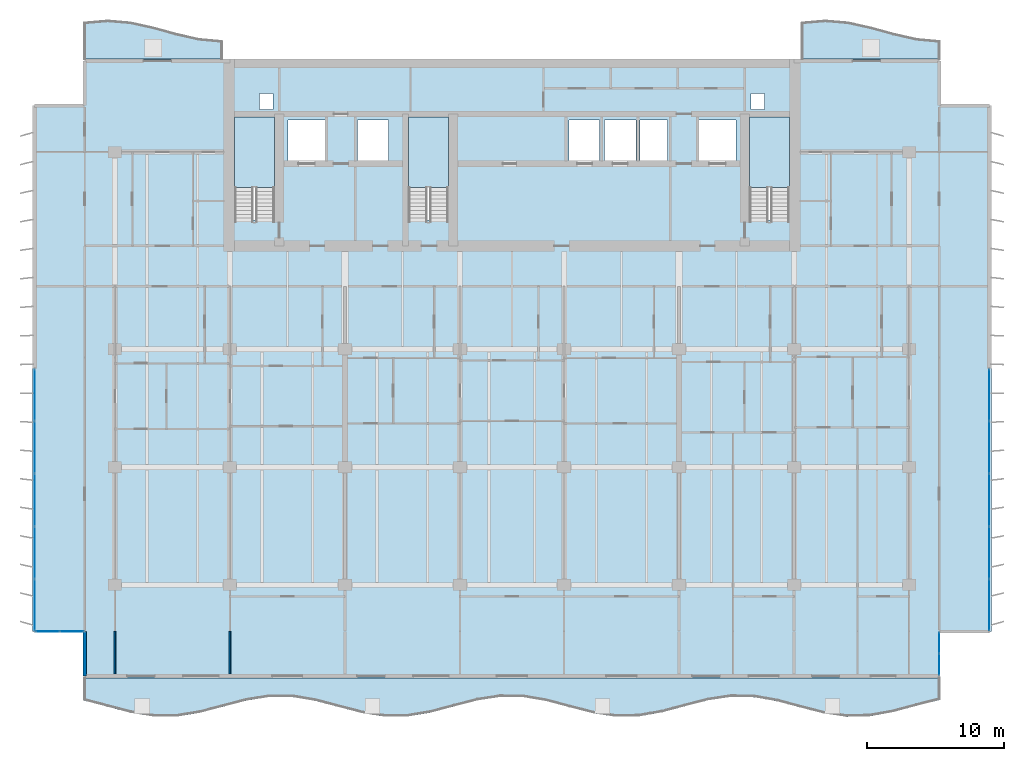
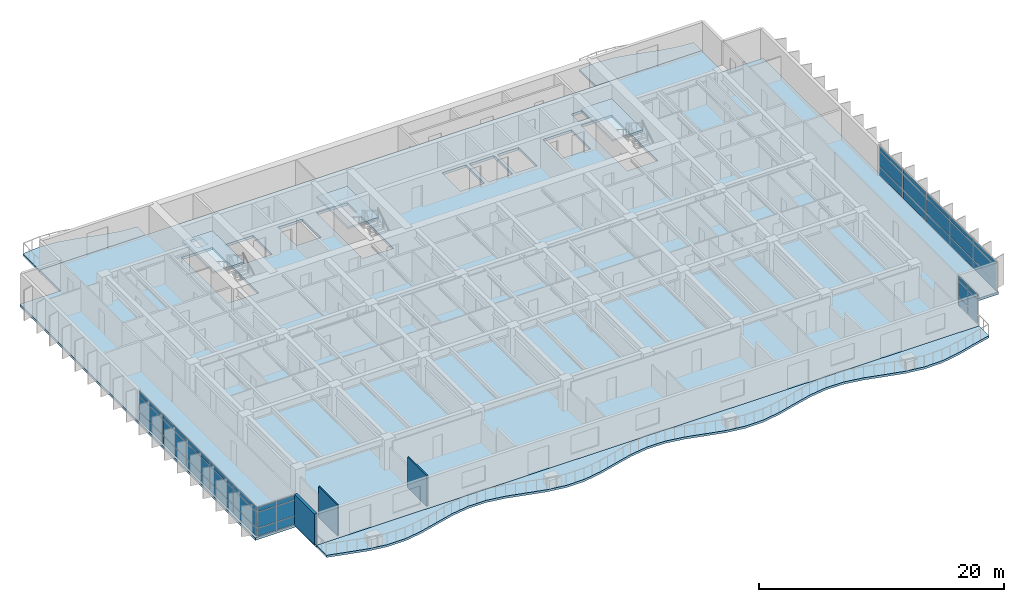
# One storey, part 5 of 15: 42 plates, 7 slabs, 3 walls, 7 elements without a shape of their own.
"""IFC4 building model written with IfcOpenShell, lengths in metres."""

from ifc_helpers import new_model, si_unit, direction, frame, frame_2d, origin, origin_2d, place, context, subcontext, project, spatial, polyline, rectangle, outline, extrude, material, layer, layer_set, type_object, element, aggregate, save


model = new_model("IFC4")

# Units and contexts
model_context = context("Model", 3, precision=1e-05, world=origin(), true_north=direction((0.0, 1.0)))
body_context = subcontext(model_context, "Body", "Model", "MODEL_VIEW")
ifc_project = project(units=[si_unit("LENGTHUNIT", "METRE"), si_unit("AREAUNIT", "SQUARE_METRE"), si_unit("VOLUMEUNIT", "CUBIC_METRE"), si_unit("PLANEANGLEUNIT", "RADIAN"), si_unit("MASSUNIT", "GRAM", prefix="KILO")], contexts=[model_context])

# Site, building, storey
site_placement = place(None, origin())
site = spatial("IfcSite", under=ifc_project, at=site_placement, CompositionType="ELEMENT")
building_placement = place(site_placement, origin())
building = spatial("IfcBuilding", under=site, at=building_placement, Name="Caelmar Bay Residences", CompositionType="ELEMENT")
storey_placement = place(building_placement, frame((0.0, 0.0, 138.89990234375)))
storey = spatial("IfcBuildingStorey", under=building, at=storey_placement, Name="L38", CompositionType="ELEMENT", Elevation=138.89990234375)

# Curtain wall, plates
ifc_material_1 = material(Name="Anodised bronze aluminium 6063-T6 and laminated glass", Category="aluminium")
ifc_layer_1 = layer(ifc_material_1, 0.179931640625)
ifc_layer_set_1 = layer_set([ifc_layer_1], Name="Anodised bronze aluminium 6063-T6 and laminated glass")
curtain_wall_type_1 = type_object("IfcCurtainWallType", Name="CW6-NTC", PredefinedType="NOTDEFINED", material=ifc_layer_set_1)
curtain_wall_1_placement = place(storey_placement, origin())
curtain_wall_1 = element("IfcCurtainWall", 1, at=curtain_wall_1_placement, inside=storey, type_object=curtain_wall_type_1, Name="CW6 curtain wall L38", PredefinedType="NOTDEFINED")
ifc_material_2 = material(Name="Bronze-tinted laminated low-E hurricane glass 28 mm", Category="glass")
ifc_layer_2 = layer(ifc_material_2, 0.028076171875)
ifc_layer_set_2 = layer_set([ifc_layer_2], Name="Bronze-tinted laminated low-E hurricane glass 28 mm")
plate_type = type_object("IfcPlateType", Name="CWP-GLZ28", PredefinedType="CURTAIN_PANEL", material=ifc_layer_set_2)
plate_1_placement = place(storey_placement, frame((4.982421875, 8.800048828125, 0.080078125), z_axis=(0.0, 0.0, 1.0), x_axis=(1.0, 0.0, 0.0)))
plate_1 = element("IfcPlate", 2, at=plate_1_placement, type_object=plate_type, Name="CW6 panel 1.1", PredefinedType="CURTAIN_PANEL", context=body_context, shape_type="SweptSolid", body=[
    extrude(rectangle(XDim=1.705078125, YDim=0.028076171875, at=origin_2d()), origin(), (0.0, 0.0, 1.0), 0.780029296875),
])
plate_2_placement = place(storey_placement, frame((4.982421875, 8.800048828125, 0.940185546875), z_axis=(0.0, 0.0, 1.0), x_axis=(1.0, 0.0, 0.0)))
plate_2 = element("IfcPlate", 3, at=plate_2_placement, type_object=plate_type, Name="CW6 panel 1.2", PredefinedType="CURTAIN_PANEL", context=body_context, shape_type="SweptSolid", body=[
    extrude(rectangle(XDim=1.705078125, YDim=0.028076171875, at=origin_2d()), origin(), (0.0, 0.0, 1.0), 1.52001953125),
])
plate_3_placement = place(storey_placement, frame((4.982421875, 8.800048828125, 2.5400390625), z_axis=(0.0, 0.0, 1.0), x_axis=(1.0, 0.0, 0.0)))
plate_3 = element("IfcPlate", 4, at=plate_3_placement, type_object=plate_type, Name="CW6 panel 1.3", PredefinedType="CURTAIN_PANEL", context=body_context, shape_type="SweptSolid", body=[
    extrude(rectangle(XDim=1.705078125, YDim=0.028076171875, at=origin_2d()), origin(), (0.0, 0.0, 1.0), 0.429931640625),
])
plate_4_placement = place(storey_placement, frame((6.767578125, 8.800048828125, 0.080078125), z_axis=(0.0, 0.0, 1.0), x_axis=(1.0, 0.0, 0.0)))
plate_4 = element("IfcPlate", 5, at=plate_4_placement, type_object=plate_type, Name="CW6 panel 2.1", PredefinedType="CURTAIN_PANEL", context=body_context, shape_type="SweptSolid", body=[
    extrude(rectangle(XDim=1.705078125, YDim=0.028076171875, at=origin_2d()), origin(), (0.0, 0.0, 1.0), 0.780029296875),
])
plate_5_placement = place(storey_placement, frame((6.767578125, 8.800048828125, 0.940185546875), z_axis=(0.0, 0.0, 1.0), x_axis=(1.0, 0.0, 0.0)))
plate_5 = element("IfcPlate", 6, at=plate_5_placement, type_object=plate_type, Name="CW6 panel 2.2", PredefinedType="CURTAIN_PANEL", context=body_context, shape_type="SweptSolid", body=[
    extrude(rectangle(XDim=1.705078125, YDim=0.028076171875, at=origin_2d()), origin(), (0.0, 0.0, 1.0), 1.52001953125),
])
plate_6_placement = place(storey_placement, frame((6.767578125, 8.800048828125, 2.5400390625), z_axis=(0.0, 0.0, 1.0), x_axis=(1.0, 0.0, 0.0)))
plate_6 = element("IfcPlate", 7, at=plate_6_placement, type_object=plate_type, Name="CW6 panel 2.3", PredefinedType="CURTAIN_PANEL", context=body_context, shape_type="SweptSolid", body=[
    extrude(rectangle(XDim=1.705078125, YDim=0.028076171875, at=origin_2d()), origin(), (0.0, 0.0, 1.0), 0.429931640625),
])
aggregate(curtain_wall_1, [plate_1, plate_2, plate_3, plate_4, plate_5, plate_6])

curtain_wall_2_placement = place(storey_placement, origin())
curtain_wall_2 = element("IfcCurtainWall", 8, at=curtain_wall_2_placement, inside=storey, type_object=curtain_wall_type_1, Name="CW6 curtain wall L38", PredefinedType="NOTDEFINED")
plate_7_placement = place(storey_placement, frame((70.10009765625, 6.382568359375, 0.080078125), z_axis=(0.0, 0.0, 1.0), x_axis=(0.0, 1.0, 0.0)))
plate_7 = element("IfcPlate", 9, at=plate_7_placement, type_object=plate_type, Name="CW6 panel 1.1", PredefinedType="CURTAIN_PANEL", context=body_context, shape_type="SweptSolid", body=[
    extrude(rectangle(XDim=1.5048828125, YDim=0.028076171875, at=origin_2d()), origin(), (0.0, 0.0, 1.0), 0.780029296875),
])
plate_8_placement = place(storey_placement, frame((70.10009765625, 6.382568359375, 0.940185546875), z_axis=(0.0, 0.0, 1.0), x_axis=(0.0, 1.0, 0.0)))
plate_8 = element("IfcPlate", 10, at=plate_8_placement, type_object=plate_type, Name="CW6 panel 1.2", PredefinedType="CURTAIN_PANEL", context=body_context, shape_type="SweptSolid", body=[
    extrude(rectangle(XDim=1.5048828125, YDim=0.028076171875, at=origin_2d()), origin(), (0.0, 0.0, 1.0), 1.52001953125),
])
plate_9_placement = place(storey_placement, frame((70.10009765625, 6.382568359375, 2.5400390625), z_axis=(0.0, 0.0, 1.0), x_axis=(0.0, 1.0, 0.0)))
plate_9 = element("IfcPlate", 11, at=plate_9_placement, type_object=plate_type, Name="CW6 panel 1.3", PredefinedType="CURTAIN_PANEL", context=body_context, shape_type="SweptSolid", body=[
    extrude(rectangle(XDim=1.5048828125, YDim=0.028076171875, at=origin_2d()), origin(), (0.0, 0.0, 1.0), 0.429931640625),
])
plate_10_placement = place(storey_placement, frame((70.10009765625, 7.967529296875, 0.080078125), z_axis=(0.0, 0.0, 1.0), x_axis=(0.0, 1.0, 0.0)))
plate_10 = element("IfcPlate", 12, at=plate_10_placement, type_object=plate_type, Name="CW6 panel 2.1", PredefinedType="CURTAIN_PANEL", context=body_context, shape_type="SweptSolid", body=[
    extrude(rectangle(XDim=1.5048828125, YDim=0.028076171875, at=origin_2d()), origin(), (0.0, 0.0, 1.0), 0.780029296875),
])
plate_11_placement = place(storey_placement, frame((70.10009765625, 7.967529296875, 0.940185546875), z_axis=(0.0, 0.0, 1.0), x_axis=(0.0, 1.0, 0.0)))
plate_11 = element("IfcPlate", 13, at=plate_11_placement, type_object=plate_type, Name="CW6 panel 2.2", PredefinedType="CURTAIN_PANEL", context=body_context, shape_type="SweptSolid", body=[
    extrude(rectangle(XDim=1.5048828125, YDim=0.028076171875, at=origin_2d()), origin(), (0.0, 0.0, 1.0), 1.52001953125),
])
plate_12_placement = place(storey_placement, frame((70.10009765625, 7.967529296875, 2.5400390625), z_axis=(0.0, 0.0, 1.0), x_axis=(0.0, 1.0, 0.0)))
plate_12 = element("IfcPlate", 14, at=plate_12_placement, type_object=plate_type, Name="CW6 panel 2.3", PredefinedType="CURTAIN_PANEL", context=body_context, shape_type="SweptSolid", body=[
    extrude(rectangle(XDim=1.5048828125, YDim=0.028076171875, at=origin_2d()), origin(), (0.0, 0.0, 1.0), 0.429931640625),
])
aggregate(curtain_wall_2, [plate_7, plate_8, plate_9, plate_10, plate_11, plate_12])

ifc_layer_3 = layer(ifc_material_1, 0.179931640625)
ifc_layer_set_3 = layer_set([ifc_layer_3], Name="Anodised bronze aluminium 6063-T6 and laminated glass")
curtain_wall_type_2 = type_object("IfcCurtainWallType", Name="CW3-Z2", PredefinedType="NOTDEFINED", material=ifc_layer_set_3)
curtain_wall_3_placement = place(storey_placement, origin())
curtain_wall_3 = element("IfcCurtainWall", 15, at=curtain_wall_3_placement, inside=storey, type_object=curtain_wall_type_2, Name="CW3 curtain wall L38", PredefinedType="NOTDEFINED")
plate_13_placement = place(storey_placement, frame((4.050048828125, 10.739990234375, 0.080078125), z_axis=(0.0, 0.0, 1.0), x_axis=(0.0, 1.0, 0.0)))
plate_13 = element("IfcPlate", 16, at=plate_13_placement, type_object=plate_type, Name="CW3 panel 1.1", PredefinedType="CURTAIN_PANEL", context=body_context, shape_type="SweptSolid", body=[
    extrude(rectangle(XDim=3.719970703125, YDim=0.028076171875, at=origin_2d()), origin(), (0.0, 0.0, 1.0), 0.780029296875),
])
plate_14_placement = place(storey_placement, frame((4.050048828125, 10.739990234375, 0.940185546875), z_axis=(0.0, 0.0, 1.0), x_axis=(0.0, 1.0, 0.0)))
plate_14 = element("IfcPlate", 17, at=plate_14_placement, type_object=plate_type, Name="CW3 panel 1.2", PredefinedType="CURTAIN_PANEL", context=body_context, shape_type="SweptSolid", body=[
    extrude(rectangle(XDim=3.719970703125, YDim=0.028076171875, at=origin_2d()), origin(), (0.0, 0.0, 1.0), 1.52001953125),
])
plate_15_placement = place(storey_placement, frame((4.050048828125, 10.739990234375, 2.5400390625), z_axis=(0.0, 0.0, 1.0), x_axis=(0.0, 1.0, 0.0)))
plate_15 = element("IfcPlate", 18, at=plate_15_placement, type_object=plate_type, Name="CW3 panel 1.3", PredefinedType="CURTAIN_PANEL", context=body_context, shape_type="SweptSolid", body=[
    extrude(rectangle(XDim=3.719970703125, YDim=0.028076171875, at=origin_2d()), origin(), (0.0, 0.0, 1.0), 0.429931640625),
])
plate_16_placement = place(storey_placement, frame((4.050048828125, 14.56005859375, 0.080078125), z_axis=(0.0, 0.0, 1.0), x_axis=(0.0, 1.0, 0.0)))
plate_16 = element("IfcPlate", 19, at=plate_16_placement, type_object=plate_type, Name="CW3 panel 2.1", PredefinedType="CURTAIN_PANEL", context=body_context, shape_type="SweptSolid", body=[
    extrude(rectangle(XDim=3.760009765625, YDim=0.028076171875, at=origin_2d()), origin(), (0.0, 0.0, 1.0), 0.780029296875),
])
plate_17_placement = place(storey_placement, frame((4.050048828125, 14.56005859375, 0.940185546875), z_axis=(0.0, 0.0, 1.0), x_axis=(0.0, 1.0, 0.0)))
plate_17 = element("IfcPlate", 20, at=plate_17_placement, type_object=plate_type, Name="CW3 panel 2.2", PredefinedType="CURTAIN_PANEL", context=body_context, shape_type="SweptSolid", body=[
    extrude(rectangle(XDim=3.760009765625, YDim=0.028076171875, at=origin_2d()), origin(), (0.0, 0.0, 1.0), 1.52001953125),
])
plate_18_placement = place(storey_placement, frame((4.050048828125, 14.56005859375, 2.5400390625), z_axis=(0.0, 0.0, 1.0), x_axis=(0.0, 1.0, 0.0)))
plate_18 = element("IfcPlate", 21, at=plate_18_placement, type_object=plate_type, Name="CW3 panel 2.3", PredefinedType="CURTAIN_PANEL", context=body_context, shape_type="SweptSolid", body=[
    extrude(rectangle(XDim=3.760009765625, YDim=0.028076171875, at=origin_2d()), origin(), (0.0, 0.0, 1.0), 0.429931640625),
])
plate_19_placement = place(storey_placement, frame((4.050048828125, 18.39990234375, 0.080078125), z_axis=(0.0, 0.0, 1.0), x_axis=(0.0, 1.0, 0.0)))
plate_19 = element("IfcPlate", 22, at=plate_19_placement, type_object=plate_type, Name="CW3 panel 3.1", PredefinedType="CURTAIN_PANEL", context=body_context, shape_type="SweptSolid", body=[
    extrude(rectangle(XDim=3.760009765625, YDim=0.028076171875, at=origin_2d()), origin(), (0.0, 0.0, 1.0), 0.780029296875),
])
plate_20_placement = place(storey_placement, frame((4.050048828125, 18.39990234375, 0.940185546875), z_axis=(0.0, 0.0, 1.0), x_axis=(0.0, 1.0, 0.0)))
plate_20 = element("IfcPlate", 23, at=plate_20_placement, type_object=plate_type, Name="CW3 panel 3.2", PredefinedType="CURTAIN_PANEL", context=body_context, shape_type="SweptSolid", body=[
    extrude(rectangle(XDim=3.760009765625, YDim=0.028076171875, at=origin_2d()), origin(), (0.0, 0.0, 1.0), 1.52001953125),
])
plate_21_placement = place(storey_placement, frame((4.050048828125, 18.39990234375, 2.5400390625), z_axis=(0.0, 0.0, 1.0), x_axis=(0.0, 1.0, 0.0)))
plate_21 = element("IfcPlate", 24, at=plate_21_placement, type_object=plate_type, Name="CW3 panel 3.3", PredefinedType="CURTAIN_PANEL", context=body_context, shape_type="SweptSolid", body=[
    extrude(rectangle(XDim=3.760009765625, YDim=0.028076171875, at=origin_2d()), origin(), (0.0, 0.0, 1.0), 0.429931640625),
])
plate_22_placement = place(storey_placement, frame((4.050048828125, 22.239990234375, 0.080078125), z_axis=(0.0, 0.0, 1.0), x_axis=(0.0, 1.0, 0.0)))
plate_22 = element("IfcPlate", 25, at=plate_22_placement, type_object=plate_type, Name="CW3 panel 4.1", PredefinedType="CURTAIN_PANEL", context=body_context, shape_type="SweptSolid", body=[
    extrude(rectangle(XDim=3.760009765625, YDim=0.028076171875, at=origin_2d()), origin(), (0.0, 0.0, 1.0), 0.780029296875),
])
plate_23_placement = place(storey_placement, frame((4.050048828125, 22.239990234375, 0.940185546875), z_axis=(0.0, 0.0, 1.0), x_axis=(0.0, 1.0, 0.0)))
plate_23 = element("IfcPlate", 26, at=plate_23_placement, type_object=plate_type, Name="CW3 panel 4.2", PredefinedType="CURTAIN_PANEL", context=body_context, shape_type="SweptSolid", body=[
    extrude(rectangle(XDim=3.760009765625, YDim=0.028076171875, at=origin_2d()), origin(), (0.0, 0.0, 1.0), 1.52001953125),
])
plate_24_placement = place(storey_placement, frame((4.050048828125, 22.239990234375, 2.5400390625), z_axis=(0.0, 0.0, 1.0), x_axis=(0.0, 1.0, 0.0)))
plate_24 = element("IfcPlate", 27, at=plate_24_placement, type_object=plate_type, Name="CW3 panel 4.3", PredefinedType="CURTAIN_PANEL", context=body_context, shape_type="SweptSolid", body=[
    extrude(rectangle(XDim=3.760009765625, YDim=0.028076171875, at=origin_2d()), origin(), (0.0, 0.0, 1.0), 0.429931640625),
])
plate_25_placement = place(storey_placement, frame((4.050048828125, 26.06005859375, 0.080078125), z_axis=(0.0, 0.0, 1.0), x_axis=(0.0, 1.0, 0.0)))
plate_25 = element("IfcPlate", 28, at=plate_25_placement, type_object=plate_type, Name="CW3 panel 5.1", PredefinedType="CURTAIN_PANEL", context=body_context, shape_type="SweptSolid", body=[
    extrude(rectangle(XDim=3.719970703125, YDim=0.028076171875, at=origin_2d()), origin(), (0.0, 0.0, 1.0), 0.780029296875),
])
plate_26_placement = place(storey_placement, frame((4.050048828125, 26.06005859375, 0.940185546875), z_axis=(0.0, 0.0, 1.0), x_axis=(0.0, 1.0, 0.0)))
plate_26 = element("IfcPlate", 29, at=plate_26_placement, type_object=plate_type, Name="CW3 panel 5.2", PredefinedType="CURTAIN_PANEL", context=body_context, shape_type="SweptSolid", body=[
    extrude(rectangle(XDim=3.719970703125, YDim=0.028076171875, at=origin_2d()), origin(), (0.0, 0.0, 1.0), 1.52001953125),
])
plate_27_placement = place(storey_placement, frame((4.050048828125, 26.06005859375, 2.5400390625), z_axis=(0.0, 0.0, 1.0), x_axis=(0.0, 1.0, 0.0)))
plate_27 = element("IfcPlate", 30, at=plate_27_placement, type_object=plate_type, Name="CW3 panel 5.3", PredefinedType="CURTAIN_PANEL", context=body_context, shape_type="SweptSolid", body=[
    extrude(rectangle(XDim=3.719970703125, YDim=0.028076171875, at=origin_2d()), origin(), (0.0, 0.0, 1.0), 0.429931640625),
])
aggregate(curtain_wall_3, [plate_13, plate_14, plate_15, plate_16, plate_17, plate_18, plate_19, plate_20, plate_21, plate_22, plate_23, plate_24, plate_25, plate_26, plate_27])

curtain_wall_4_placement = place(storey_placement, origin())
curtain_wall_4 = element("IfcCurtainWall", 31, at=curtain_wall_4_placement, inside=storey, type_object=curtain_wall_type_2, Name="CW3 curtain wall L38", PredefinedType="NOTDEFINED")
plate_28_placement = place(storey_placement, frame((73.75, 26.06005859375, 0.080078125), z_axis=(0.0, 0.0, 1.0), x_axis=(0.0, -1.0, 0.0)))
plate_28 = element("IfcPlate", 32, at=plate_28_placement, type_object=plate_type, Name="CW3 panel 1.1", PredefinedType="CURTAIN_PANEL", context=body_context, shape_type="SweptSolid", body=[
    extrude(rectangle(XDim=3.719970703125, YDim=0.028076171875, at=origin_2d()), origin(), (0.0, 0.0, 1.0), 0.780029296875),
])
plate_29_placement = place(storey_placement, frame((73.75, 26.06005859375, 0.940185546875), z_axis=(0.0, 0.0, 1.0), x_axis=(0.0, -1.0, 0.0)))
plate_29 = element("IfcPlate", 33, at=plate_29_placement, type_object=plate_type, Name="CW3 panel 1.2", PredefinedType="CURTAIN_PANEL", context=body_context, shape_type="SweptSolid", body=[
    extrude(rectangle(XDim=3.719970703125, YDim=0.028076171875, at=origin_2d()), origin(), (0.0, 0.0, 1.0), 1.52001953125),
])
plate_30_placement = place(storey_placement, frame((73.75, 26.06005859375, 2.5400390625), z_axis=(0.0, 0.0, 1.0), x_axis=(0.0, -1.0, 0.0)))
plate_30 = element("IfcPlate", 34, at=plate_30_placement, type_object=plate_type, Name="CW3 panel 1.3", PredefinedType="CURTAIN_PANEL", context=body_context, shape_type="SweptSolid", body=[
    extrude(rectangle(XDim=3.719970703125, YDim=0.028076171875, at=origin_2d()), origin(), (0.0, 0.0, 1.0), 0.429931640625),
])
plate_31_placement = place(storey_placement, frame((73.75, 22.239990234375, 0.080078125), z_axis=(0.0, 0.0, 1.0), x_axis=(0.0, -1.0, 0.0)))
plate_31 = element("IfcPlate", 35, at=plate_31_placement, type_object=plate_type, Name="CW3 panel 2.1", PredefinedType="CURTAIN_PANEL", context=body_context, shape_type="SweptSolid", body=[
    extrude(rectangle(XDim=3.760009765625, YDim=0.028076171875, at=origin_2d()), origin(), (0.0, 0.0, 1.0), 0.780029296875),
])
plate_32_placement = place(storey_placement, frame((73.75, 22.239990234375, 0.940185546875), z_axis=(0.0, 0.0, 1.0), x_axis=(0.0, -1.0, 0.0)))
plate_32 = element("IfcPlate", 36, at=plate_32_placement, type_object=plate_type, Name="CW3 panel 2.2", PredefinedType="CURTAIN_PANEL", context=body_context, shape_type="SweptSolid", body=[
    extrude(rectangle(XDim=3.760009765625, YDim=0.028076171875, at=origin_2d()), origin(), (0.0, 0.0, 1.0), 1.52001953125),
])
plate_33_placement = place(storey_placement, frame((73.75, 22.239990234375, 2.5400390625), z_axis=(0.0, 0.0, 1.0), x_axis=(0.0, -1.0, 0.0)))
plate_33 = element("IfcPlate", 37, at=plate_33_placement, type_object=plate_type, Name="CW3 panel 2.3", PredefinedType="CURTAIN_PANEL", context=body_context, shape_type="SweptSolid", body=[
    extrude(rectangle(XDim=3.760009765625, YDim=0.028076171875, at=origin_2d()), origin(), (0.0, 0.0, 1.0), 0.429931640625),
])
plate_34_placement = place(storey_placement, frame((73.75, 18.39990234375, 0.080078125), z_axis=(0.0, 0.0, 1.0), x_axis=(0.0, -1.0, 0.0)))
plate_34 = element("IfcPlate", 38, at=plate_34_placement, type_object=plate_type, Name="CW3 panel 3.1", PredefinedType="CURTAIN_PANEL", context=body_context, shape_type="SweptSolid", body=[
    extrude(rectangle(XDim=3.760009765625, YDim=0.028076171875, at=origin_2d()), origin(), (0.0, 0.0, 1.0), 0.780029296875),
])
plate_35_placement = place(storey_placement, frame((73.75, 18.39990234375, 0.940185546875), z_axis=(0.0, 0.0, 1.0), x_axis=(0.0, -1.0, 0.0)))
plate_35 = element("IfcPlate", 39, at=plate_35_placement, type_object=plate_type, Name="CW3 panel 3.2", PredefinedType="CURTAIN_PANEL", context=body_context, shape_type="SweptSolid", body=[
    extrude(rectangle(XDim=3.760009765625, YDim=0.028076171875, at=origin_2d()), origin(), (0.0, 0.0, 1.0), 1.52001953125),
])
plate_36_placement = place(storey_placement, frame((73.75, 18.39990234375, 2.5400390625), z_axis=(0.0, 0.0, 1.0), x_axis=(0.0, -1.0, 0.0)))
plate_36 = element("IfcPlate", 40, at=plate_36_placement, type_object=plate_type, Name="CW3 panel 3.3", PredefinedType="CURTAIN_PANEL", context=body_context, shape_type="SweptSolid", body=[
    extrude(rectangle(XDim=3.760009765625, YDim=0.028076171875, at=origin_2d()), origin(), (0.0, 0.0, 1.0), 0.429931640625),
])
plate_37_placement = place(storey_placement, frame((73.75, 14.56005859375, 0.080078125), z_axis=(0.0, 0.0, 1.0), x_axis=(0.0, -1.0, 0.0)))
plate_37 = element("IfcPlate", 41, at=plate_37_placement, type_object=plate_type, Name="CW3 panel 4.1", PredefinedType="CURTAIN_PANEL", context=body_context, shape_type="SweptSolid", body=[
    extrude(rectangle(XDim=3.760009765625, YDim=0.028076171875, at=origin_2d()), origin(), (0.0, 0.0, 1.0), 0.780029296875),
])
plate_38_placement = place(storey_placement, frame((73.75, 14.56005859375, 0.940185546875), z_axis=(0.0, 0.0, 1.0), x_axis=(0.0, -1.0, 0.0)))
plate_38 = element("IfcPlate", 42, at=plate_38_placement, type_object=plate_type, Name="CW3 panel 4.2", PredefinedType="CURTAIN_PANEL", context=body_context, shape_type="SweptSolid", body=[
    extrude(rectangle(XDim=3.760009765625, YDim=0.028076171875, at=origin_2d()), origin(), (0.0, 0.0, 1.0), 1.52001953125),
])
plate_39_placement = place(storey_placement, frame((73.75, 14.56005859375, 2.5400390625), z_axis=(0.0, 0.0, 1.0), x_axis=(0.0, -1.0, 0.0)))
plate_39 = element("IfcPlate", 43, at=plate_39_placement, type_object=plate_type, Name="CW3 panel 4.3", PredefinedType="CURTAIN_PANEL", context=body_context, shape_type="SweptSolid", body=[
    extrude(rectangle(XDim=3.760009765625, YDim=0.028076171875, at=origin_2d()), origin(), (0.0, 0.0, 1.0), 0.429931640625),
])
plate_40_placement = place(storey_placement, frame((73.75, 10.739990234375, 0.080078125), z_axis=(0.0, 0.0, 1.0), x_axis=(0.0, -1.0, 0.0)))
plate_40 = element("IfcPlate", 44, at=plate_40_placement, type_object=plate_type, Name="CW3 panel 5.1", PredefinedType="CURTAIN_PANEL", context=body_context, shape_type="SweptSolid", body=[
    extrude(rectangle(XDim=3.719970703125, YDim=0.028076171875, at=origin_2d()), origin(), (0.0, 0.0, 1.0), 0.780029296875),
])
plate_41_placement = place(storey_placement, frame((73.75, 10.739990234375, 0.940185546875), z_axis=(0.0, 0.0, 1.0), x_axis=(0.0, -1.0, 0.0)))
plate_41 = element("IfcPlate", 45, at=plate_41_placement, type_object=plate_type, Name="CW3 panel 5.2", PredefinedType="CURTAIN_PANEL", context=body_context, shape_type="SweptSolid", body=[
    extrude(rectangle(XDim=3.719970703125, YDim=0.028076171875, at=origin_2d()), origin(), (0.0, 0.0, 1.0), 1.52001953125),
])
plate_42_placement = place(storey_placement, frame((73.75, 10.739990234375, 2.5400390625), z_axis=(0.0, 0.0, 1.0), x_axis=(0.0, -1.0, 0.0)))
plate_42 = element("IfcPlate", 46, at=plate_42_placement, type_object=plate_type, Name="CW3 panel 5.3", PredefinedType="CURTAIN_PANEL", context=body_context, shape_type="SweptSolid", body=[
    extrude(rectangle(XDim=3.719970703125, YDim=0.028076171875, at=origin_2d()), origin(), (0.0, 0.0, 1.0), 0.429931640625),
])
aggregate(curtain_wall_4, [plate_28, plate_29, plate_30, plate_31, plate_32, plate_33, plate_34, plate_35, plate_36, plate_37, plate_38, plate_39, plate_40, plate_41, plate_42])

# Slabs
ifc_material_3 = material(Name="Concrete f'c 40 MPa (6,000 psi)", Category="concrete")
ifc_layer_4 = layer(ifc_material_3, 0.219970703125)
ifc_layer_set_4 = layer_set([ifc_layer_4], Name="Concrete f'c 40 MPa (6,000 psi)")
slab_type_1 = type_object("IfcSlabType", Name="SLB-BAL-220", PredefinedType="FLOOR", material=ifc_layer_set_4)
slab_1_placement = place(storey_placement, frame((0.0, 0.0, -0.219970703125)))
element("IfcSlab", 47, at=slab_1_placement, inside=storey, type_object=slab_type_1, Name="L38 Sinusoidal Tree-Balcony Slab south", PredefinedType="FLOOR", context=body_context, shape_type="SweptSolid", body=[
    extrude(outline(polyline([(7.699951171875, 3.74072265625), (9.386474609375, 3.298095703125), (11.072998046875, 2.856201171875), (12.759521484375, 2.5849609375), (14.44580078125, 2.589111328125), (16.13232421875, 2.866455078125), (17.81884765625, 3.310791015625), (19.50537109375, 3.751220703125), (21.19189453125, 4.017578125), (22.87841796875, 4.008056640625), (24.56494140625, 3.72607421875), (26.25146484375, 3.280029296875), (27.937744140625, 2.841796875), (29.624267578125, 2.579833984375), (31.310791015625, 2.594970703125), (32.997314453125, 2.881591796875), (34.683837890625, 3.3291015625), (36.370361328125, 3.765380859375), (38.056884765625, 4.022705078125), (39.7431640625, 4.001953125), (41.4296875, 3.7109375), (43.1162109375, 3.26171875), (44.802734375, 2.827392578125), (46.4892578125, 2.574951171875), (48.17578125, 2.601318359375), (49.8623046875, 2.896728515625), (51.548583984375, 3.347412109375), (53.235107421875, 3.779541015625), (54.921630859375, 4.02734375), (56.608154296875, 3.9951171875), (58.294677734375, 3.695556640625), (59.981201171875, 3.24365234375), (61.66748046875, 2.8134765625), (63.35400390625, 2.570556640625), (65.04052734375, 2.608154296875), (66.72705078125, 2.912109375), (68.41357421875, 3.365478515625), (70.10009765625, 3.79345703125), (70.10009765625, 5.39990234375), (7.699951171875, 5.39990234375), (7.699951171875, 3.74072265625)])), origin(), (0.0, 0.0, 1.0), 0.219970703125),
])
slab_2_placement = place(storey_placement, frame((0.0, 0.0, -0.219970703125)))
element("IfcSlab", 48, at=slab_2_placement, inside=storey, type_object=slab_type_1, Name="L38 Sinusoidal Tree-Balcony Slab north_west", PredefinedType="FLOOR", context=body_context, shape_type="SweptSolid", body=[
    extrude(outline(polyline([(7.699951171875, 50.60009765625), (17.699951171875, 50.60009765625), (17.699951171875, 51.9501953125), (16.033203125, 52.1044921875), (14.36669921875, 52.482421875), (12.699951171875, 52.9423828125), (11.033203125, 53.31103515625), (9.36669921875, 53.449951171875), (7.699951171875, 53.306884765625), (7.699951171875, 50.60009765625)])), origin(), (0.0, 0.0, 1.0), 0.219970703125),
])
slab_3_placement = place(storey_placement, frame((0.0, 0.0, -0.219970703125)))
element("IfcSlab", 49, at=slab_3_placement, inside=storey, type_object=slab_type_1, Name="L38 Sinusoidal Tree-Balcony Slab north_east", PredefinedType="FLOOR", context=body_context, shape_type="SweptSolid", body=[
    extrude(outline(polyline([(60.10009765625, 50.60009765625), (70.10009765625, 50.60009765625), (70.10009765625, 51.9501953125), (68.433349609375, 52.1044921875), (66.7666015625, 52.482421875), (65.10009765625, 52.9423828125), (63.433349609375, 53.31103515625), (61.7666015625, 53.449951171875), (60.10009765625, 53.306884765625), (60.10009765625, 50.60009765625)])), origin(), (0.0, 0.0, 1.0), 0.219970703125),
])

# Stair, slab
stair_type = type_object("IfcStairType", Name="ST-TYP-165", PredefinedType="HALF_TURN_STAIR", material=ifc_material_3)
stair_1_placement = place(storey_placement, origin())
stair_1 = element("IfcStair", 50, at=stair_1_placement, inside=storey, type_object=stair_type, Name="L38 West Smokeproof Exit Stair ST1", PredefinedType="HALF_TURN_STAIR")
ifc_layer_5 = layer(ifc_material_3, 0.199951171875)
ifc_layer_set_5 = layer_set([ifc_layer_5], Name="Concrete f'c 40 MPa (6,000 psi)")
slab_type_2 = type_object("IfcSlabType", Name="SLB-LND-200", PredefinedType="LANDING", material=ifc_layer_set_5)
slab_4_placement = place(storey_placement, frame((0.0, 0.0, 1.4501953125)))
slab_4 = element("IfcSlab", 51, at=slab_4_placement, type_object=slab_type_2, Name="ST1 landing 1", PredefinedType="LANDING", context=body_context, shape_type="SweptSolid", body=[
    extrude(outline(polyline([(21.550048828125, 41.219970703125), (21.550048828125, 46.35009765625), (18.64990234375, 46.35009765625), (18.64990234375, 41.219970703125), (21.550048828125, 41.219970703125)])), origin(), (0.0, 0.0, 1.0), 0.199951171875),
])
aggregate(stair_1, [slab_4])

stair_2_placement = place(storey_placement, origin())
stair_2 = element("IfcStair", 52, at=stair_2_placement, inside=storey, type_object=stair_type, Name="L38 East Smokeproof Exit Stair ST2", PredefinedType="HALF_TURN_STAIR")
slab_5_placement = place(storey_placement, frame((0.0, 0.0, 1.4501953125)))
slab_5 = element("IfcSlab", 53, at=slab_5_placement, type_object=slab_type_2, Name="ST2 landing 1", PredefinedType="LANDING", context=body_context, shape_type="SweptSolid", body=[
    extrude(outline(polyline([(59.14990234375, 41.219970703125), (59.14990234375, 46.35009765625), (56.25, 46.35009765625), (56.25, 41.219970703125), (59.14990234375, 41.219970703125)])), origin(), (0.0, 0.0, 1.0), 0.199951171875),
])
aggregate(stair_2, [slab_5])

stair_3_placement = place(storey_placement, origin())
stair_3 = element("IfcStair", 54, at=stair_3_placement, inside=storey, type_object=stair_type, Name="L38 Central Smokeproof Exit Stair ST3", PredefinedType="HALF_TURN_STAIR")
slab_6_placement = place(storey_placement, frame((0.0, 0.0, 1.4501953125)))
slab_6 = element("IfcSlab", 55, at=slab_6_placement, type_object=slab_type_2, Name="ST3 landing 1", PredefinedType="LANDING", context=body_context, shape_type="SweptSolid", body=[
    extrude(outline(polyline([(34.25, 41.219970703125), (34.25, 46.35009765625), (31.35009765625, 46.35009765625), (31.35009765625, 41.219970703125), (34.25, 41.219970703125)])), origin(), (0.0, 0.0, 1.0), 0.199951171875),
])
aggregate(stair_3, [slab_6])

# Slab
ifc_layer_6 = layer(ifc_material_3, 0.25)
ifc_layer_set_6 = layer_set([ifc_layer_6], Name="Concrete f'c 40 MPa (6,000 psi)")
slab_type_3 = type_object("IfcSlabType", Name="SLB-RES-250", PredefinedType="FLOOR", material=ifc_layer_set_6)
slab_7_placement = place(storey_placement, frame((0.0, 0.0, -0.25)))
element("IfcSlab", 56, at=slab_7_placement, inside=storey, type_object=slab_type_3, Name="L38 Structural Floor Slab", PredefinedType="FLOOR", context=body_context, shape_type="SweptSolid", body=[
    extrude(outline(polyline([(7.699951171875, 5.39990234375), (70.10009765625, 5.39990234375), (70.10009765625, 8.800048828125), (73.89990234375, 8.800048828125), (73.89990234375, 47.199951171875), (70.10009765625, 47.199951171875), (70.10009765625, 50.60009765625), (7.699951171875, 50.60009765625), (7.699951171875, 47.199951171875), (3.89990234375, 47.199951171875), (3.89990234375, 8.800048828125), (7.699951171875, 8.800048828125), (7.699951171875, 5.39990234375)]), holes=[polyline([(18.64990234375, 38.85009765625), (21.550048828125, 38.85009765625), (21.550048828125, 46.35009765625), (18.64990234375, 46.35009765625), (18.64990234375, 38.85009765625)]), polyline([(56.25, 38.85009765625), (59.14990234375, 38.85009765625), (59.14990234375, 46.35009765625), (56.25, 46.35009765625), (56.25, 38.85009765625)]), polyline([(31.35009765625, 38.85009765625), (34.25, 38.85009765625), (34.25, 46.35009765625), (31.35009765625, 46.35009765625), (31.35009765625, 38.85009765625)]), polyline([(22.550048828125, 43.050048828125), (25.25, 43.050048828125), (25.25, 46.14990234375), (22.550048828125, 46.14990234375), (22.550048828125, 43.050048828125)]), polyline([(52.550048828125, 43.050048828125), (55.25, 43.050048828125), (55.25, 46.14990234375), (52.550048828125, 46.14990234375), (52.550048828125, 43.050048828125)]), polyline([(43.050048828125, 43.14990234375), (45.300048828125, 43.14990234375), (45.300048828125, 46.14990234375), (43.050048828125, 46.14990234375), (43.050048828125, 43.14990234375)]), polyline([(45.64990234375, 43.14990234375), (47.949951171875, 43.14990234375), (47.949951171875, 46.14990234375), (45.64990234375, 46.14990234375), (45.64990234375, 43.14990234375)]), polyline([(48.25, 43.14990234375), (50.25, 43.14990234375), (50.25, 46.14990234375), (48.25, 46.14990234375), (48.25, 43.14990234375)]), polyline([(27.60009765625, 43.14990234375), (29.89990234375, 43.14990234375), (29.89990234375, 46.14990234375), (27.60009765625, 46.14990234375), (27.60009765625, 43.14990234375)]), polyline([(20.449951171875, 46.89990234375), (21.449951171875, 46.89990234375), (21.449951171875, 48.10009765625), (20.449951171875, 48.10009765625), (20.449951171875, 46.89990234375)]), polyline([(56.35009765625, 46.89990234375), (57.35009765625, 46.89990234375), (57.35009765625, 48.10009765625), (56.35009765625, 48.10009765625), (56.35009765625, 46.89990234375)])]), origin(), (0.0, 0.0, 1.0), 0.25),
])

# Walls
ifc_material_4 = material(Name="Precast concrete f'c 40 MPa (6,000 psi)", Category="concrete")
ifc_layer_7 = layer(ifc_material_4, 0.25)
ifc_layer_set_7 = layer_set([ifc_layer_7], Name="Precast concrete f'c 40 MPa (6,000 psi)")
wall_type_1 = type_object("IfcWallType", Name="W-EXT-250", PredefinedType="ELEMENTEDWALL", material=ifc_layer_set_7)
wall_placement = place(storey_placement, frame((7.699951171875, 8.800048828125, 0.0), z_axis=(0.0, 0.0, 1.0), x_axis=(0.0, -1.0, 0.0)))
element("IfcWall", 57, at=wall_placement, inside=storey, type_object=wall_type_1, Name="L38 SW Notch Return Wall", PredefinedType="ELEMENTEDWALL", context=body_context, shape_type="SweptSolid", body=[
    extrude(rectangle(XDim=3.25, YDim=0.25, at=frame_2d((1.625, 0.0))), origin(), (0.0, 0.0, 1.0), 3.050048828125),
])
ifc_material_5 = material(Name="Acoustic metal-stud gypsum partition 120 mm")
ifc_layer_8 = layer(ifc_material_5, 0.1201171875)
ifc_layer_set_8 = layer_set([ifc_layer_8], Name="Acoustic metal-stud gypsum partition 120 mm")
wall_type_2 = type_object("IfcWallType", Name="W-PRT-120", PredefinedType="PARTITIONING", material=ifc_layer_set_8)
for number, where, z_axis, x_axis, name in (
    (58, (9.89990234375, 5.695068359375, 0.0), (0.0, 0.0, 1.0), (0.0, 1.0, 0.0), "L38 Partition Wall V006"),
    (59, (18.300048828125, 5.695068359375, 0.0), (0.0, 0.0, 1.0), (0.0, 1.0, 0.0), "L38 Partition Wall V014"),
):
    element("IfcWall", number, at=place(storey_placement, frame(where, z_axis=z_axis, x_axis=x_axis)), inside=storey, type_object=wall_type_2, Name=name, PredefinedType="PARTITIONING", context=body_context, shape_type="SweptSolid", body=[
        extrude(rectangle(XDim=3.10498046875, YDim=0.1201171875, at=frame_2d((1.552490234375, 0.0))), origin(), (0.0, 0.0, 1.0), 3.050048828125),
    ])

save(model, "model.ifc")
